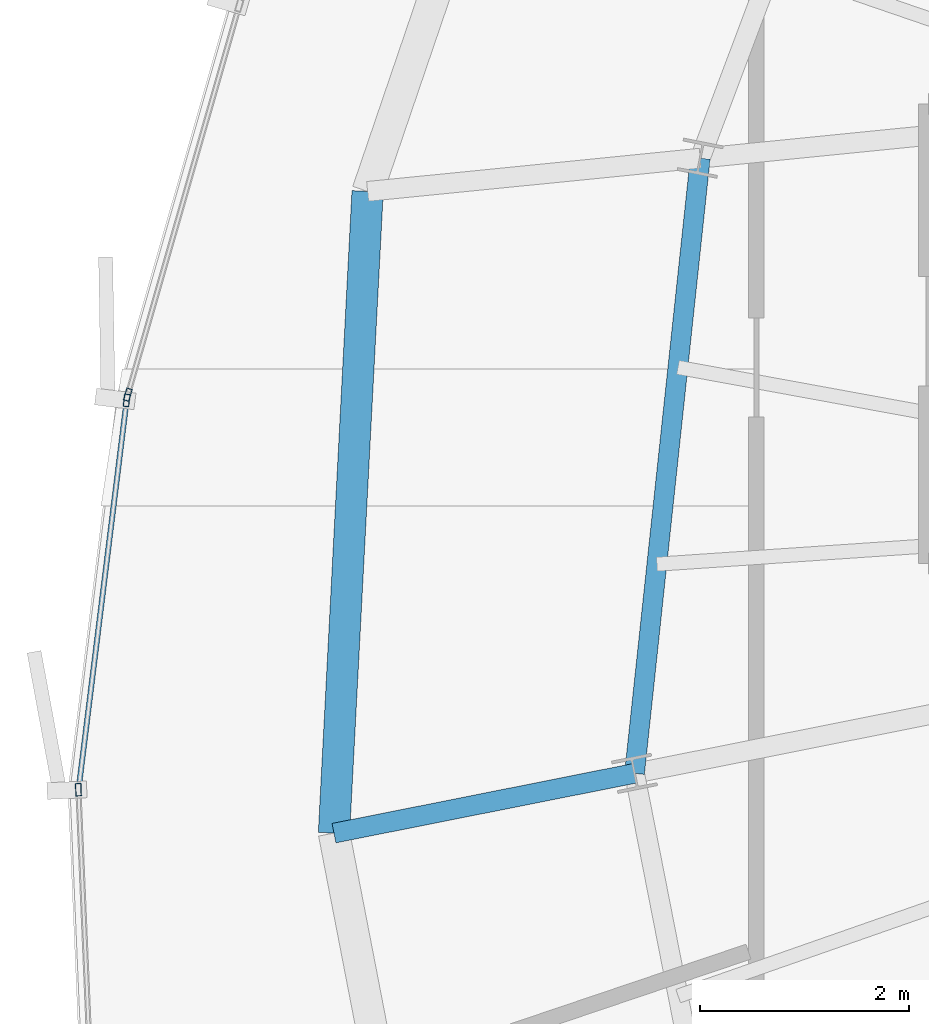
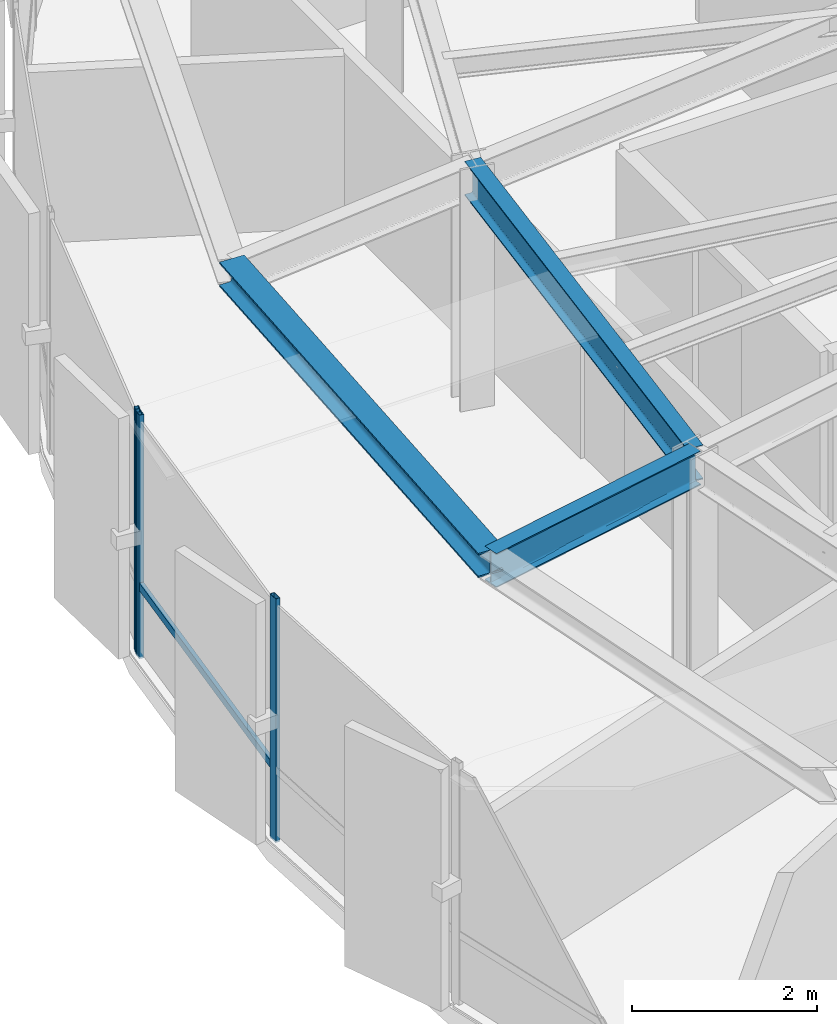
# One storey, part 9 of 35: 4 members, 3 beams, 2 elements without a shape of their own.
"""IFC4 building model written with IfcOpenShell, lengths in metres."""

from ifc_helpers import new_model, si_unit, direction, frame, origin, origin_2d, place, context, subcontext, project, spatial, hollow_rectangle, i_section, extrude, source, transform, mapped, material, layer, layer_set, material_profile, profile_set, type_object, element, aggregate, save


model = new_model("IFC4")

# Units and contexts
model_context = context("Model", 3, precision=1e-05, world=origin(), true_north=direction((0.0, 1.0)))
body_context = subcontext(model_context, "Body", "Model", "MODEL_VIEW")
ifc_project = project(units=[si_unit("LENGTHUNIT", "METRE"), si_unit("AREAUNIT", "SQUARE_METRE"), si_unit("VOLUMEUNIT", "CUBIC_METRE"), si_unit("PLANEANGLEUNIT", "RADIAN"), si_unit("MASSUNIT", "GRAM", prefix="KILO"), si_unit("THERMODYNAMICTEMPERATUREUNIT", "KELVIN")], contexts=[model_context])

# Site, building, storey
site_placement = place(None, origin())
site = spatial("IfcSite", under=ifc_project, at=site_placement, CompositionType="ELEMENT")
building_placement = place(site_placement, origin())
building = spatial("IfcBuilding", under=site, at=building_placement, Name="Kethvar Cultural Tower", CompositionType="ELEMENT")
storey_placement = place(building_placement, frame((0.0, 0.0, 249.10009765625)))
storey = spatial("IfcBuildingStorey", under=building, at=storey_placement, Name="L65", CompositionType="ELEMENT", Elevation=249.10009765625)

# Beams
ifc_material_1 = material(Name="Steel S355J2", Category="steel")
ifc_material_profile_1 = material_profile(ifc_material_1, i_section(OverallWidth=0.18994140625, OverallDepth=0.449951171875, WebThickness=0.009521484375, FlangeThickness=0.0146484375, FilletRadius=0.02099609375, at=origin_2d()), Name="Steel S355J2 — IPE450")
ifc_profile_set_1 = profile_set([ifc_material_profile_1], Name="Steel S355J2 — IPE450")
beam_type_1 = type_object("IfcBeamType", Name="BM-IPE450", PredefinedType="BEAM", material=ifc_profile_set_1)
shared_shape_1 = source(origin(), body_context, "Body", "SweptSolid", [
    extrude(i_section(OverallWidth=0.18994140625, OverallDepth=0.449951171875, WebThickness=0.009521484375, FlangeThickness=0.0146484375, FilletRadius=0.02099609375, at=origin_2d()), origin(), (0.0, 0.0, 1.0), 5.92236328125),
])
beam_1_placement = place(storey_placement, frame((32.3125, 30.681884765625, 2.98291015625), z_axis=(-0.106272578913, -0.994337034899, 0.0), x_axis=(0.994337034899, -0.106272578913, 0.0)))
element("IfcBeam", 1, at=beam_1_placement, inside=storey, type_object=beam_type_1, Name="L65 Column Ring Tie Beam CR-08", PredefinedType="BEAM", context=body_context, shape_type="MappedRepresentation", body=[
    mapped(shared_shape_1, transform((0.0, 0.0, 0.0), scale=1.0)),
])
shared_shape_2 = source(origin(), body_context, "Body", "SweptSolid", [
    extrude(i_section(OverallWidth=0.18994140625, OverallDepth=0.449951171875, WebThickness=0.009521484375, FlangeThickness=0.0146484375, FilletRadius=0.02099609375, at=origin_2d()), origin(), (0.0, 0.0, 1.0), 2.933349609375),
])
beam_2_placement = place(storey_placement, frame((31.68310546875, 24.79296875, 2.98291015625), z_axis=(-0.98078501504, -0.195091656081, 0.0), x_axis=(0.195091656081, -0.98078501504, 0.0)))
element("IfcBeam", 2, at=beam_2_placement, inside=storey, type_object=beam_type_1, Name="L65 Perimeter Cantilever Beam RC-09", PredefinedType="BEAM", context=body_context, shape_type="MappedRepresentation", body=[
    mapped(shared_shape_2, transform((0.0, 0.0, 0.0), scale=1.0)),
])
ifc_material_profile_2 = material_profile(ifc_material_1, i_section(OverallWidth=0.300048828125, OverallDepth=0.320068359375, WebThickness=0.011474609375, FlangeThickness=0.0205078125, FilletRadius=0.027099609375, at=origin_2d()), Name="Steel S355J2 — HEB320")
ifc_profile_set_2 = profile_set([ifc_material_profile_2], Name="Steel S355J2 — HEB320")
beam_type_2 = type_object("IfcBeamType", Name="BM-SP320", PredefinedType="SPANDREL", material=ifc_profile_set_2)
shared_shape_3 = source(origin(), body_context, "Body", "SweptSolid", [
    extrude(i_section(OverallWidth=0.300048828125, OverallDepth=0.320068359375, WebThickness=0.011474609375, FlangeThickness=0.0205078125, FilletRadius=0.027099609375, at=origin_2d()), origin(), (0.0, 0.0, 1.0), 6.151611328125),
])
beam_3_placement = place(storey_placement, frame((29.128173828125, 30.36376953125, 3.0478515625), z_axis=(-0.052348441823, -0.998628880335, 0.0), x_axis=(0.998628880335, -0.052348441823, 0.0)))
element("IfcBeam", 3, at=beam_3_placement, inside=storey, type_object=beam_type_2, Name="L65 Perimeter Spandrel Beam SP-08", PredefinedType="SPANDREL", context=body_context, shape_type="MappedRepresentation", body=[
    mapped(shared_shape_3, transform((0.0, 0.0, 0.0), scale=1.0)),
])

# Curtain wall, member
ifc_material_2 = material(Name="Aluminium 6063-T6", Category="aluminium")
ifc_layer = layer(ifc_material_2, 0.179931640625, Name="Aluminium 6063-T6", Category="aluminium")
ifc_layer_set = layer_set([ifc_layer], Name="Aluminium 6063-T6 (180 mm)")
curtain_wall_type = type_object("IfcCurtainWallType", Name="CW-SYS-05-Z56", PredefinedType="NOTDEFINED", material=ifc_layer_set)
curtain_wall_1_placement = place(storey_placement, origin())
curtain_wall_1 = element("IfcCurtainWall", 4, at=curtain_wall_1_placement, inside=storey, type_object=curtain_wall_type, Name="L65 Curtain Wall Run 02", PredefinedType="NOTDEFINED")
ifc_material_profile_3 = material_profile(ifc_material_2, hollow_rectangle(XDim=0.054931640625, YDim=0.1201171875, WallThickness=0.00390625, at=origin_2d()), Name="Aluminium 6063-T6 — RHS120x55x4")
ifc_profile_set_3 = profile_set([ifc_material_profile_3], Name="Aluminium 6063-T6 — RHS120x55x4")
member_type_1 = type_object("IfcMemberType", Name="CW-SYS-05-Z56-MUL", PredefinedType="MULLION", material=ifc_profile_set_3)
shared_shape_4 = source(origin(), body_context, "Body", "SweptSolid", [
    extrude(hollow_rectangle(XDim=0.054931640625, YDim=0.1201171875, WallThickness=0.00390625, at=origin_2d()), origin(), (0.0, 0.0, 1.0), 3.2099609375),
])
member_1_placement = place(storey_placement, frame((26.83251953125, 28.41796875, 0.0), z_axis=(0.0, 0.0, 1.0), x_axis=(0.961362657737, -0.275285016498, 0.0)))
member_1 = element("IfcMember", 5, at=member_1_placement, type_object=member_type_1, Name="CW-L65-R02 Mullion 7", PredefinedType="MULLION", context=body_context, shape_type="MappedRepresentation", body=[
    mapped(shared_shape_4, transform((0.0, 0.0, 0.0), scale=1.0)),
])
aggregate(curtain_wall_1, [member_1])

# Curtain wall, members
curtain_wall_2_placement = place(storey_placement, origin())
curtain_wall_2 = element("IfcCurtainWall", 6, at=curtain_wall_2_placement, inside=storey, type_object=curtain_wall_type, Name="L65 Curtain Wall Run 03", PredefinedType="NOTDEFINED")
member_2_placement = place(storey_placement, frame((26.8212890625, 28.36328125, 0.0), z_axis=(0.0, 0.0, 1.0), x_axis=(0.992450129567, -0.122648849662, 0.0)))
member_2 = element("IfcMember", 7, at=member_2_placement, type_object=member_type_1, Name="CW-L65-R03 Mullion 1", PredefinedType="MULLION", context=body_context, shape_type="MappedRepresentation", body=[
    mapped(shared_shape_4, transform((0.0, 0.0, 0.0), scale=1.0)),
])
member_3_placement = place(storey_placement, frame((26.359375, 24.636474609375, 0.0), z_axis=(0.0, 0.0, 1.0), x_axis=(0.999090377298, 0.042642912559, 0.0)))
member_3 = element("IfcMember", 8, at=member_3_placement, type_object=member_type_1, Name="CW-L65-R03 Mullion 2", PredefinedType="MULLION", context=body_context, shape_type="MappedRepresentation", body=[
    mapped(shared_shape_4, transform((0.0, 0.0, 0.0), scale=1.0)),
])
ifc_material_profile_4 = material_profile(ifc_material_2, hollow_rectangle(XDim=0.050048828125, YDim=0.10009765625, WallThickness=0.00390625, at=origin_2d()), Name="Aluminium 6063-T6 — RHS100x50x4")
ifc_profile_set_4 = profile_set([ifc_material_profile_4], Name="Aluminium 6063-T6 — RHS100x50x4")
member_type_2 = type_object("IfcMemberType", Name="CW-SYS-05-Z56-TRN", PredefinedType="USERDEFINED", material=ifc_profile_set_4)
shared_shape_5 = source(origin(), body_context, "Body", "SweptSolid", [
    extrude(hollow_rectangle(XDim=0.050048828125, YDim=0.10009765625, WallThickness=0.00390625, at=origin_2d()), origin(), (0.0, 0.0, 1.0), 3.728515625),
])
member_4_placement = place(storey_placement, frame((26.82080078125, 28.359619140625, 0.949951171875), z_axis=(-0.122640432859, -0.992451169695, 0.0), x_axis=(0.992451169695, -0.122640432859, 0.0)))
member_4 = element("IfcMember", 9, at=member_4_placement, type_object=member_type_2, Name="CW-L65-R03 Transom 1", ObjectType="TRANSOM", PredefinedType="USERDEFINED", context=body_context, shape_type="MappedRepresentation", body=[
    mapped(shared_shape_5, transform((0.0, 0.0, 0.0), scale=1.0)),
])
aggregate(curtain_wall_2, [member_2, member_3, member_4])

save(model, "model.ifc")
